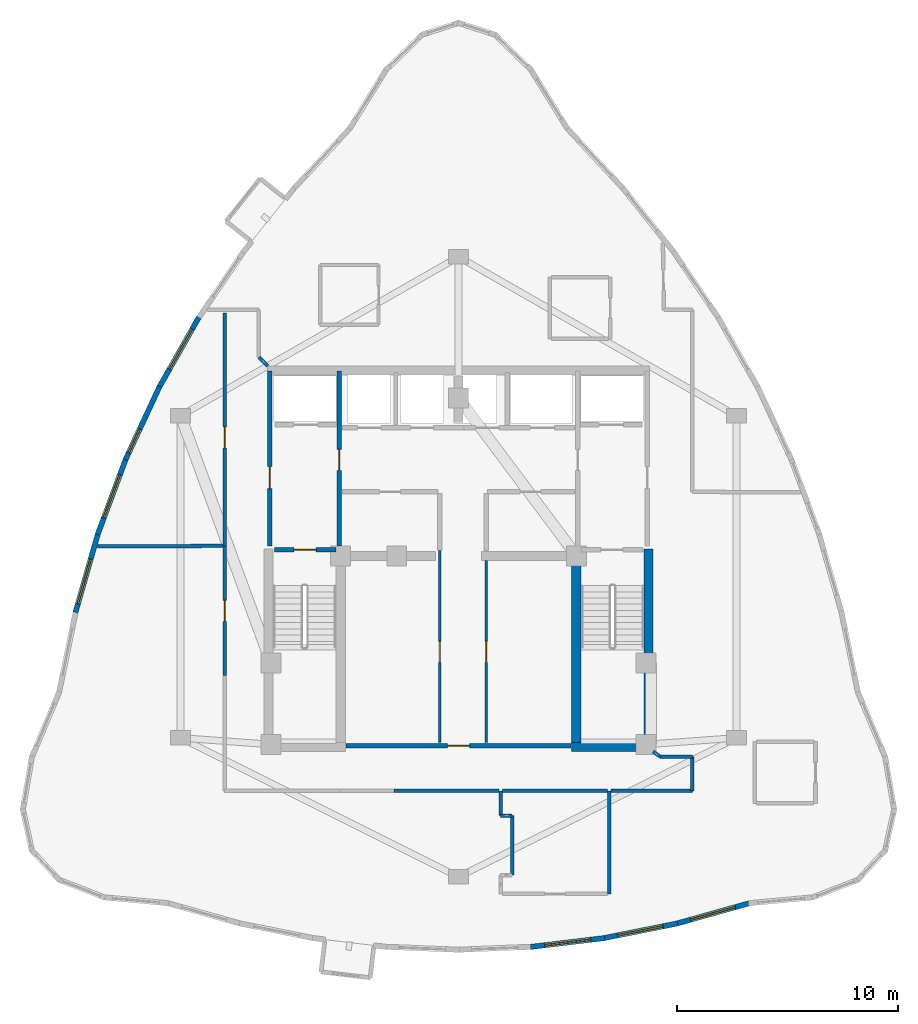
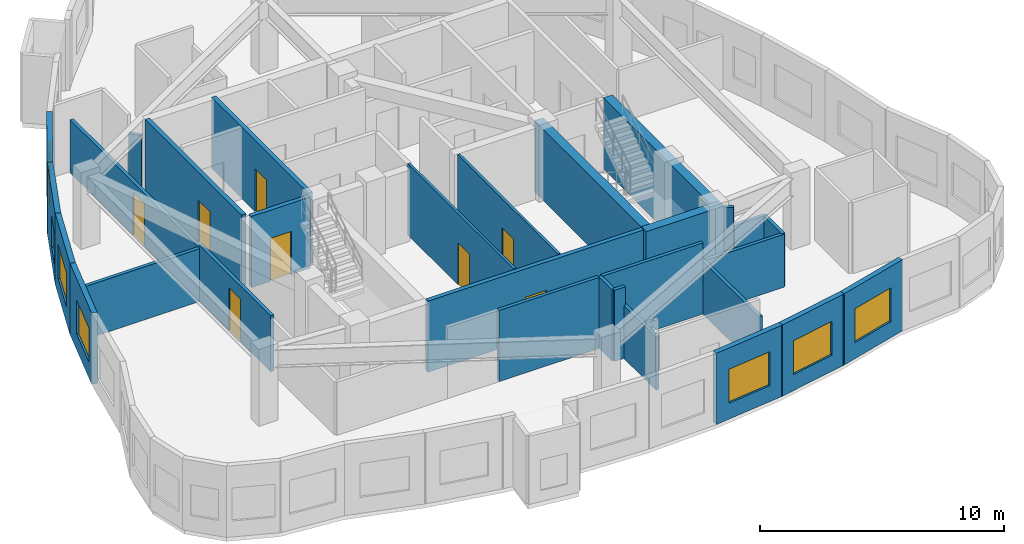
# One storey, part 5 of 9: 30 walls, 8 doors, 7 windows, 15 openings.
"""IFC4 building model written with IfcOpenShell, lengths in metres."""

import ifcopenshell
import ifcopenshell.guid

model = None  # the IFC model being written
_history = None  # IfcOwnerHistory: only IFC2X3 demands one
_inside = {}  # id of a spatial element -> (the spatial element, [elements in it])
_under = {}  # id of a project, library or spatial element -> (it, [spatial elements below it])
_declared = {}  # id of a project -> (the project, [libraries it declares])
_typed = {}  # id of a type object -> (the type object, [elements of that type])
_made_of = {}  # id of a material, layer set ... -> (it, [elements and type objects made of it])


def new_model(schema):
    """Start an empty IFC model of exactly this schema.

    Asked for "IFC4X3", IfcOpenShell would pick the latest addendum, in which some entities
    have other attributes; the version numbers below select the first issue.
    IFC2X3 requires an IfcOwnerHistory on every rooted entity: one is made here for all.
    """
    global model, _history
    if schema == "IFC4X3":
        model = ifcopenshell.file(schema_version=(4, 3, 0, 0))
    else:
        model = ifcopenshell.file(schema=schema)
    _inside.clear()
    _under.clear()
    _declared.clear()
    _typed.clear()
    _made_of.clear()
    _history = None
    if model.schema == "IFC2X3":
        org = make("IfcOrganization", Name="unknown")
        user = make(
            "IfcPersonAndOrganization",
            ThePerson=make("IfcPerson", FamilyName="unknown"),
            TheOrganization=org,
        )
        app = make(
            "IfcApplication",
            ApplicationDeveloper=org,
            Version="unknown",
            ApplicationFullName="unknown",
            ApplicationIdentifier="unknown",
        )
        _history = make(
            "IfcOwnerHistory",
            OwningUser=user,
            OwningApplication=app,
            ChangeAction="ADDED",
            CreationDate=0,
        )
    return model


def make(cls, **values):
    """One entity of the class cls with the attributes given. An attribute that is None is left unset."""
    return model.create_entity(
        cls, **{name: value for name, value in values.items() if value is not None}
    )


def rooted(cls, **values):
    """An entity with a GlobalId (a new one), such as an element, a storey or a relation."""
    return make(cls, GlobalId=ifcopenshell.guid.new(), OwnerHistory=_history, **values)


def si_unit(unit_type, name, prefix=None):
    """IfcSIUnit, for example si_unit("LENGTHUNIT", "METRE", prefix="MILLI")."""
    return make("IfcSIUnit", UnitType=unit_type, Prefix=prefix, Name=name)


def assignment(units):
    """IfcUnitAssignment: the units of a project."""
    return None if units is None else make("IfcUnitAssignment", Units=units)


def point(xyz):
    """IfcCartesianPoint."""
    return None if xyz is None else make("IfcCartesianPoint", Coordinates=xyz)


def direction(xyz):
    """IfcDirection."""
    return None if xyz is None else make("IfcDirection", DirectionRatios=xyz)


def frame(location, z_axis=None, x_axis=None):
    """IfcAxis2Placement3D, a coordinate frame: its origin and axes. An axis left out is left unset."""
    return make(
        "IfcAxis2Placement3D",
        Location=point(location),
        Axis=direction(z_axis),
        RefDirection=direction(x_axis),
    )


def frame_2d(location, x_axis=None):
    """IfcAxis2Placement2D, a coordinate frame in the plane: its origin and x axis."""
    return make(
        "IfcAxis2Placement2D", Location=point(location), RefDirection=direction(x_axis)
    )


def origin():
    """The frame at (0, 0, 0) with its axes left unset."""
    return frame((0.0, 0.0, 0.0))


def place(relative_to, where):
    """IfcLocalPlacement: puts the frame where relative to a parent placement (None: the world)."""
    return make(
        "IfcLocalPlacement", PlacementRelTo=relative_to, RelativePlacement=where
    )


def context(
    kind, dimensions, precision=None, world=None, true_north=None, identifier=None
):
    """IfcGeometricRepresentationContext, for example the 3D "Model" context."""
    return make(
        "IfcGeometricRepresentationContext",
        ContextIdentifier=identifier,
        ContextType=kind,
        CoordinateSpaceDimension=dimensions,
        Precision=precision,
        WorldCoordinateSystem=world,
        TrueNorth=true_north,
    )


def subcontext(parent, identifier, kind, view, scale=None):
    """IfcGeometricRepresentationSubContext, for example "Body" below "Model"."""
    return make(
        "IfcGeometricRepresentationSubContext",
        ContextIdentifier=identifier,
        ContextType=kind,
        ParentContext=parent,
        TargetScale=scale,
        TargetView=view,
    )


def project(units=None, contexts=None):
    """IfcProject with its units and contexts."""
    return rooted(
        "IfcProject",
        Name="project",
        RepresentationContexts=contexts,
        UnitsInContext=assignment(units),
    )


def spatial(cls, under=None, at=None, **own):
    """A site, building, storey or space (cls), placed at a placement, below another one or the project."""
    s = rooted(cls, ObjectPlacement=at, **own)
    if under is not None:
        _under.setdefault(under.id(), (under, []))[1].append(s)
    return s


def profile(cls, at=None, kind="AREA", **sizes):
    """A parametric profile (cls). Its sizes go by their IFC names, for example OverallWidth=200.0."""
    return make(cls, ProfileType=kind, Position=at, **sizes)


def rectangle(**sizes):
    """IfcRectangleProfileDef."""
    return profile("IfcRectangleProfileDef", **sizes)


def extrude(swept, where, along, depth):
    """IfcExtrudedAreaSolid: the profile swept, set in the frame where, extruded along a direction by depth."""
    return make(
        "IfcExtrudedAreaSolid",
        SweptArea=swept,
        Position=where,
        ExtrudedDirection=direction(along),
        Depth=depth,
    )


def shape(context_of_items, identifier, shape_type, items):
    """IfcShapeRepresentation: the items that make up one representation, for example the "Body"."""
    return make(
        "IfcShapeRepresentation",
        ContextOfItems=context_of_items,
        RepresentationIdentifier=identifier,
        RepresentationType=shape_type,
        Items=items,
    )


def material(Name=None, Category=None):
    """IfcMaterial."""
    return make("IfcMaterial", Name=Name, Category=Category)


def layer(
    of_material, thickness, ventilated=None, Name=None, Category=None, Priority=None
):
    """IfcMaterialLayer: one layer of a wall or slab, of a material (None: an air gap)."""
    return make(
        "IfcMaterialLayer",
        Material=of_material,
        LayerThickness=thickness,
        IsVentilated=ventilated,
        Name=Name,
        Category=Category,
        Priority=Priority,
    )


def layer_set(layers, Name=None):
    """IfcMaterialLayerSet."""
    return make("IfcMaterialLayerSet", MaterialLayers=layers, LayerSetName=Name)


def made_of(thing, what):
    """Note that an element or type object is made of a material, layer set ...; save() writes the relation."""
    if what is not None:
        _made_of.setdefault(what.id(), (what, []))[1].append(thing)
    return thing


def type_object(cls, material=None, **own):
    """A type object (cls), such as IfcWallType, which elements share."""
    return made_of(rooted(cls, **own), material)


def element(
    cls,
    number,
    at=None,
    inside=None,
    cuts=None,
    type_object=None,
    material=None,
    context=None,
    identifier="Body",
    shape_type=None,
    held_by="IfcProductDefinitionShape",
    body=None,
    shapes=None,
    **own,
):
    """One element of the class cls, such as IfcWall. Its Tag is "e" and its number.

    at: its placement. inside: the storey or other place that contains it. cuts: it is an
    opening in that element (IfcRelVoidsElement). A single representation is given by context,
    identifier, shape_type and body (its items); several are given by shapes. held_by: the class
    of the entity that holds the representations. save() writes the other relations.
    """
    e = rooted(cls, Tag="e%d" % number, ObjectPlacement=at, **own)
    if body is not None:
        shapes = [shape(context, identifier, shape_type, body)]
    if shapes is not None:
        e.Representation = make(held_by, Representations=shapes)
    if inside is not None:
        _inside.setdefault(inside.id(), (inside, []))[1].append(e)
    if cuts is not None:
        rooted(
            "IfcRelVoidsElement", RelatingBuildingElement=cuts, RelatedOpeningElement=e
        )
    if type_object is not None:
        _typed.setdefault(type_object.id(), (type_object, []))[1].append(e)
    return made_of(e, material)


def fill(opening, filler):
    """IfcRelFillsElement: the door or window that sits in an opening."""
    return rooted(
        "IfcRelFillsElement",
        RelatingOpeningElement=opening,
        RelatedBuildingElement=filler,
    )


def aggregate(whole, parts):
    """IfcRelAggregates: a whole, such as a stair, and the parts it consists of."""
    return rooted("IfcRelAggregates", RelatingObject=whole, RelatedObjects=parts)


def save(model, path):
    """Write the relations noted so far, then the file.

    IfcRelAggregates (storeys below a building ...), IfcRelContainedInSpatialStructure (elements
    in a storey), IfcRelDefinesByType, IfcRelAssociatesMaterial and IfcRelDeclares: one each for
    every whole, place, type object, material and project.
    """
    for whole, parts in _under.values():
        aggregate(whole, parts)
    for where, things in _inside.values():
        rooted(
            "IfcRelContainedInSpatialStructure",
            RelatedElements=things,
            RelatingStructure=where,
        )
    for kind, things in _typed.values():
        rooted("IfcRelDefinesByType", RelatedObjects=things, RelatingType=kind)
    for what, things in _made_of.values():
        rooted("IfcRelAssociatesMaterial", RelatedObjects=things, RelatingMaterial=what)
    for by, libraries in _declared.values():
        rooted("IfcRelDeclares", RelatingContext=by, RelatedDefinitions=libraries)
    model.write(path)


model = new_model("IFC4")

# Units and contexts
model_context = context("Model", 3, precision=1e-05, world=origin(), true_north=direction((0.0, 1.0)))
body_context = subcontext(model_context, "Body", "Model", "MODEL_VIEW")
ifc_project = project(units=[si_unit("LENGTHUNIT", "METRE"), si_unit("AREAUNIT", "SQUARE_METRE"), si_unit("VOLUMEUNIT", "CUBIC_METRE"), si_unit("PLANEANGLEUNIT", "RADIAN"), si_unit("MASSUNIT", "GRAM", prefix="KILO")], contexts=[model_context])

# Site, building, storey
site_placement = place(None, origin())
site = spatial("IfcSite", under=ifc_project, at=site_placement, CompositionType="ELEMENT")
building_placement = place(site_placement, origin())
building = spatial("IfcBuilding", under=site, at=building_placement, Name="Miruveldt Soraemaru", CompositionType="ELEMENT")
storey_placement = place(building_placement, frame((0.0, 0.0, 275.10009765625)))
storey = spatial("IfcBuildingStorey", under=building, at=storey_placement, Name="L75", CompositionType="ELEMENT", Elevation=275.10009765625)

# Walls
ifc_material_1 = material(Name="Concrete C50/60 (50 MPa)", Category="concrete")
ifc_layer_1 = layer(ifc_material_1, 0.419921875, Name="Concrete C50/60 (50 MPa)", Category="concrete")
ifc_layer_set_1 = layer_set([ifc_layer_1], Name="Concrete C50/60 (50 MPa)")
wall_type_1 = type_object("IfcWallType", Name="WALL-CW-420", PredefinedType="SHEAR", material=ifc_layer_set_1)
wall_1_placement = place(storey_placement, frame((49.1298828125, 35.389892578125, 0.0), z_axis=(0.0, 0.0, 1.0), x_axis=(1.0, 0.0, 0.0)))
element("IfcWall", 1, at=wall_1_placement, inside=storey, type_object=wall_type_1, Name="L75 Central Core Shear Wall S2", PredefinedType="SHEAR", context=body_context, shape_type="SweptSolid", body=[
    extrude(rectangle(XDim=3.690185546875, YDim=0.419921875, at=frame_2d((1.84521484375, 0.0))), origin(), (0.0, 0.0, 1.0), 3.56494140625),
])
wall_2_placement = place(storey_placement, frame((52.610107421875, 35.179931640625, 0.0), z_axis=(0.0, 0.0, 1.0), x_axis=(0.0, 1.0, 0.0)))
element("IfcWall", 2, at=wall_2_placement, inside=storey, type_object=wall_type_1, Name="L75 Central Core Shear Wall E1", PredefinedType="SHEAR", context=body_context, shape_type="SweptSolid", body=[
    extrude(rectangle(XDim=9.170166015625, YDim=0.419921875, at=frame_2d((4.5849609375, 0.0))), origin(), (0.0, 0.0, 1.0), 3.56494140625),
])
wall_3_placement = place(storey_placement, frame((49.340087890625, 35.39990234375, 0.0), z_axis=(0.0, 0.0, 1.0), x_axis=(0.0, 1.0, 0.0)))
element("IfcWall", 3, at=wall_3_placement, inside=storey, type_object=wall_type_1, Name="L75 Central Core Shear Wall SE-INT", PredefinedType="SHEAR", context=body_context, shape_type="SweptSolid", body=[
    extrude(rectangle(XDim=8.9501953125, YDim=0.419921875, at=frame_2d((4.47509765625, 0.0))), origin(), (0.0, 0.0, 1.0), 3.56494140625),
])

# Wall, opening, window
ifc_material_2 = material(Name="Precast concrete C45/55 (45 MPa)", Category="concrete")
ifc_layer_2 = layer(ifc_material_2, 0.239990234375, Name="Precast concrete C45/55 (45 MPa)", Category="concrete")
ifc_layer_set_2 = layer_set([ifc_layer_2], Name="Precast concrete C45/55 (45 MPa)")
wall_type_2 = type_object("IfcWallType", Name="WALL-EXT-PC240", PredefinedType="SOLIDWALL", material=ifc_layer_set_2)
wall_4_placement = place(storey_placement, frame((32.22900390625, 54.86328125, 0.0), z_axis=(0.0, 0.0, 1.0), x_axis=(-0.493370164744, -0.869819452841, 0.0)))
wall_4 = element("IfcWall", 4, at=wall_4_placement, inside=storey, type_object=wall_type_2, Name="L75 Precast Concrete Facade Wall 10", PredefinedType="SOLIDWALL", context=body_context, shape_type="SweptSolid", body=[
    extrude(rectangle(XDim=3.668701171875, YDim=0.239990234375, at=frame_2d((1.83447265625, 0.0))), origin(), (0.0, 0.0, 1.0), 3.56494140625),
])
opening_1_placement = place(wall_4_placement, frame((0.611083984375, 0.0, 0.800048828125)))
opening_1 = element("IfcOpeningElement", 5, at=opening_1_placement, cuts=wall_4, Name="Opening WN-1", PredefinedType="OPENING", context=body_context, shape_type="SweptSolid", body=[
    extrude(rectangle(XDim=2.10009765625, YDim=1.699951171875, at=frame_2d((1.050048828125, 0.85009765625))), frame((0.0, 0.1298828125, 0.0), z_axis=(0.0, -1.0, 0.0), x_axis=(1.0, 0.0, 0.0)), (0.0, 0.0, 1.0), 0.260009765625),
])
ifc_material_3 = material(Name="Triple low-e insulated glazing", Category="glass")
window_type_1 = type_object("IfcWindowType", Name="WIN-PUNCH-2100x1700", PartitioningType="SINGLE_PANEL", PredefinedType="WINDOW", material=ifc_material_3)
window_1_placement = place(opening_1_placement, origin())
window_1 = element("IfcWindow", 6, at=window_1_placement, inside=storey, type_object=window_type_1, Name="L75 Punched Triple-Glazed Window 10.1", OverallHeight=1.699951171875, OverallWidth=2.10009765625, PartitioningType="SINGLE_PANEL", PredefinedType="WINDOW", context=body_context, shape_type="SweptSolid", body=[
    extrude(rectangle(XDim=2.10009765625, YDim=1.699951171875, at=frame_2d((1.050048828125, 0.85009765625))), frame((0.0, 0.030029296875, 0.0), z_axis=(0.0, -1.0, 0.0), x_axis=(1.0, 0.0, 0.0)), (0.0, 0.0, 1.0), 0.06005859375),
])
fill(opening_1, window_1)

wall_5_placement = place(storey_placement, frame((30.450927734375, 51.734130859375, 0.0), z_axis=(0.0, 0.0, 1.0), x_axis=(-0.422313408589, -0.906449879986, 0.0)))
wall_5 = element("IfcWall", 7, at=wall_5_placement, inside=storey, type_object=wall_type_2, Name="L75 Precast Concrete Facade Wall 11", PredefinedType="SOLIDWALL", context=body_context, shape_type="SweptSolid", body=[
    extrude(rectangle(XDim=3.668701171875, YDim=0.239990234375, at=frame_2d((1.83447265625, 0.0))), origin(), (0.0, 0.0, 1.0), 3.56494140625),
])
opening_2_placement = place(wall_5_placement, frame((2.1240234375, 0.0, 0.780029296875)))
opening_2 = element("IfcOpeningElement", 8, at=opening_2_placement, cuts=wall_5, Name="Opening WN-4", PredefinedType="OPENING", context=body_context, shape_type="SweptSolid", body=[
    extrude(rectangle(XDim=1.199951171875, YDim=1.550048828125, at=frame_2d((0.60009765625, 0.77490234375))), frame((0.0, 0.1298828125, 0.0), z_axis=(0.0, -1.0, 0.0), x_axis=(1.0, 0.0, 0.0)), (0.0, 0.0, 1.0), 0.260009765625),
])
window_type_2 = type_object("IfcWindowType", Name="WIN-PUNCH-1200x1550", PartitioningType="SINGLE_PANEL", PredefinedType="WINDOW", material=ifc_material_3)
window_2_placement = place(opening_2_placement, origin())
window_2 = element("IfcWindow", 9, at=window_2_placement, inside=storey, type_object=window_type_2, Name="L75 Punched Triple-Glazed Window 11.1", OverallHeight=1.550048828125, OverallWidth=1.199951171875, PartitioningType="SINGLE_PANEL", PredefinedType="WINDOW", context=body_context, shape_type="SweptSolid", body=[
    extrude(rectangle(XDim=1.199951171875, YDim=1.550048828125, at=frame_2d((0.60009765625, 0.77490234375))), frame((0.0, 0.030029296875, 0.0), z_axis=(0.0, -1.0, 0.0), x_axis=(1.0, 0.0, 0.0)), (0.0, 0.0, 1.0), 0.06005859375),
])
fill(opening_2, window_2)

wall_6_placement = place(storey_placement, frame((28.9287109375, 48.47314453125, 0.0), z_axis=(0.0, 0.0, 1.0), x_axis=(-0.349028180334, -0.937112228782, 0.0)))
wall_6 = element("IfcWall", 10, at=wall_6_placement, inside=storey, type_object=wall_type_2, Name="L75 Precast Concrete Facade Wall 12", PredefinedType="SOLIDWALL", context=body_context, shape_type="SweptSolid", body=[
    extrude(rectangle(XDim=3.69189453125, YDim=0.239990234375, at=frame_2d((1.845947265625, 0.0))), origin(), (0.0, 0.0, 1.0), 3.56494140625),
])
opening_3_placement = place(wall_6_placement, frame((0.7958984375, 0.0, 0.800048828125)))
opening_3 = element("IfcOpeningElement", 11, at=opening_3_placement, cuts=wall_6, Name="Opening WN-1", PredefinedType="OPENING", context=body_context, shape_type="SweptSolid", body=[
    extrude(rectangle(XDim=2.10009765625, YDim=1.699951171875, at=frame_2d((1.050048828125, 0.85009765625))), frame((0.0, 0.1298828125, 0.0), z_axis=(0.0, -1.0, 0.0), x_axis=(1.0, 0.0, 0.0)), (0.0, 0.0, 1.0), 0.260009765625),
])
window_3_placement = place(opening_3_placement, origin())
window_3 = element("IfcWindow", 12, at=window_3_placement, inside=storey, type_object=window_type_1, Name="L75 Punched Triple-Glazed Window 12.1", OverallHeight=1.699951171875, OverallWidth=2.10009765625, PartitioningType="SINGLE_PANEL", PredefinedType="WINDOW", context=body_context, shape_type="SweptSolid", body=[
    extrude(rectangle(XDim=2.10009765625, YDim=1.699951171875, at=frame_2d((1.050048828125, 0.85009765625))), frame((0.0, 0.030029296875, 0.0), z_axis=(0.0, -1.0, 0.0), x_axis=(1.0, 0.0, 0.0)), (0.0, 0.0, 1.0), 0.06005859375),
])
fill(opening_3, window_3)

wall_7_placement = place(storey_placement, frame((27.661865234375, 45.080078125, 0.0), z_axis=(0.0, 0.0, 1.0), x_axis=(-0.274954072222, -0.961457361597, 0.0)))
wall_7 = element("IfcWall", 13, at=wall_7_placement, inside=storey, type_object=wall_type_2, Name="L75 Precast Concrete Facade Wall 13", PredefinedType="SOLIDWALL", context=body_context, shape_type="SweptSolid", body=[
    extrude(rectangle(XDim=3.7373046875, YDim=0.239990234375, at=frame_2d((1.86865234375, 0.0))), origin(), (0.0, 0.0, 1.0), 3.56494140625),
])
opening_4_placement = place(wall_7_placement, frame((1.22802734375, 0.0, 0.800048828125)))
opening_4 = element("IfcOpeningElement", 14, at=opening_4_placement, cuts=wall_7, Name="Opening WN-1", PredefinedType="OPENING", context=body_context, shape_type="SweptSolid", body=[
    extrude(rectangle(XDim=2.10009765625, YDim=1.699951171875, at=frame_2d((1.050048828125, 0.85009765625))), frame((0.0, 0.1298828125, 0.0), z_axis=(0.0, -1.0, 0.0), x_axis=(1.0, 0.0, 0.0)), (0.0, 0.0, 1.0), 0.260009765625),
])
window_4_placement = place(opening_4_placement, origin())
window_4 = element("IfcWindow", 15, at=window_4_placement, inside=storey, type_object=window_type_1, Name="L75 Punched Triple-Glazed Window 13.1", OverallHeight=1.699951171875, OverallWidth=2.10009765625, PartitioningType="SINGLE_PANEL", PredefinedType="WINDOW", context=body_context, shape_type="SweptSolid", body=[
    extrude(rectangle(XDim=2.10009765625, YDim=1.699951171875, at=frame_2d((1.050048828125, 0.85009765625))), frame((0.0, 0.030029296875, 0.0), z_axis=(0.0, -1.0, 0.0), x_axis=(1.0, 0.0, 0.0)), (0.0, 0.0, 1.0), 0.06005859375),
])
fill(opening_4, window_4)

wall_8_placement = place(storey_placement, frame((47.260498046875, 26.322509765625, 0.0), z_axis=(0.0, 0.0, 1.0), x_axis=(0.992876497617, 0.119148061167, 0.0)))
wall_8 = element("IfcWall", 16, at=wall_8_placement, inside=storey, type_object=wall_type_2, Name="L75 Precast Concrete Facade Wall 26", PredefinedType="SOLIDWALL", context=body_context, shape_type="SweptSolid", body=[
    extrude(rectangle(XDim=3.38916015625, YDim=0.239990234375, at=frame_2d((1.694580078125, 0.0))), origin(), (0.0, 0.0, 1.0), 3.56494140625),
])
opening_5_placement = place(wall_8_placement, frame((0.64501953125, 0.0, 0.800048828125)))
opening_5 = element("IfcOpeningElement", 17, at=opening_5_placement, cuts=wall_8, Name="Opening WN-1", PredefinedType="OPENING", context=body_context, shape_type="SweptSolid", body=[
    extrude(rectangle(XDim=2.10009765625, YDim=1.699951171875, at=frame_2d((1.050048828125, 0.85009765625))), frame((0.0, 0.1298828125, 0.0), z_axis=(0.0, -1.0, 0.0), x_axis=(1.0, 0.0, 0.0)), (0.0, 0.0, 1.0), 0.260009765625),
])
window_5_placement = place(opening_5_placement, origin())
window_5 = element("IfcWindow", 18, at=window_5_placement, inside=storey, type_object=window_type_1, Name="L75 Punched Triple-Glazed Window 26.1", OverallHeight=1.699951171875, OverallWidth=2.10009765625, PartitioningType="SINGLE_PANEL", PredefinedType="WINDOW", context=body_context, shape_type="SweptSolid", body=[
    extrude(rectangle(XDim=2.10009765625, YDim=1.699951171875, at=frame_2d((1.050048828125, 0.85009765625))), frame((0.0, 0.030029296875, 0.0), z_axis=(0.0, -1.0, 0.0), x_axis=(1.0, 0.0, 0.0)), (0.0, 0.0, 1.0), 0.06005859375),
])
fill(opening_5, window_5)

wall_9_placement = place(storey_placement, frame((50.556396484375, 26.71533203125, 0.0), z_axis=(0.0, 0.0, 1.0), x_axis=(0.980577938493, 0.196129820632, 0.0)))
wall_9 = element("IfcWall", 19, at=wall_9_placement, inside=storey, type_object=wall_type_2, Name="L75 Precast Concrete Facade Wall 27", PredefinedType="SOLIDWALL", context=body_context, shape_type="SweptSolid", body=[
    extrude(rectangle(XDim=3.4306640625, YDim=0.239990234375, at=frame_2d((1.71533203125, 0.0))), origin(), (0.0, 0.0, 1.0), 3.56494140625),
])
opening_6_placement = place(wall_9_placement, frame((0.6650390625, 0.0, 0.800048828125)))
opening_6 = element("IfcOpeningElement", 20, at=opening_6_placement, cuts=wall_9, Name="Opening WN-1", PredefinedType="OPENING", context=body_context, shape_type="SweptSolid", body=[
    extrude(rectangle(XDim=2.10009765625, YDim=1.699951171875, at=frame_2d((1.050048828125, 0.85009765625))), frame((0.0, 0.1298828125, 0.0), z_axis=(0.0, -1.0, 0.0), x_axis=(1.0, 0.0, 0.0)), (0.0, 0.0, 1.0), 0.260009765625),
])
window_6_placement = place(opening_6_placement, origin())
window_6 = element("IfcWindow", 21, at=window_6_placement, inside=storey, type_object=window_type_1, Name="L75 Punched Triple-Glazed Window 27.1", OverallHeight=1.699951171875, OverallWidth=2.10009765625, PartitioningType="SINGLE_PANEL", PredefinedType="WINDOW", context=body_context, shape_type="SweptSolid", body=[
    extrude(rectangle(XDim=2.10009765625, YDim=1.699951171875, at=frame_2d((1.050048828125, 0.85009765625))), frame((0.0, 0.030029296875, 0.0), z_axis=(0.0, -1.0, 0.0), x_axis=(1.0, 0.0, 0.0)), (0.0, 0.0, 1.0), 0.06005859375),
])
fill(opening_6, window_6)

wall_10_placement = place(storey_placement, frame((53.852294921875, 27.371826171875, 0.0), z_axis=(0.0, 0.0, 1.0), x_axis=(0.962958936967, 0.269648077529, 0.0)))
wall_10 = element("IfcWall", 22, at=wall_10_placement, inside=storey, type_object=wall_type_2, Name="L75 Precast Concrete Facade Wall 28", PredefinedType="SOLIDWALL", context=body_context, shape_type="SweptSolid", body=[
    extrude(rectangle(XDim=3.4921875, YDim=0.239990234375, at=frame_2d((1.74609375, 0.0))), origin(), (0.0, 0.0, 1.0), 3.56494140625),
])
opening_7_placement = place(wall_10_placement, frame((0.696044921875, 0.0, 0.800048828125)))
opening_7 = element("IfcOpeningElement", 23, at=opening_7_placement, cuts=wall_10, Name="Opening WN-1", PredefinedType="OPENING", context=body_context, shape_type="SweptSolid", body=[
    extrude(rectangle(XDim=2.10009765625, YDim=1.699951171875, at=frame_2d((1.050048828125, 0.85009765625))), frame((0.0, 0.1298828125, 0.0), z_axis=(0.0, -1.0, 0.0), x_axis=(1.0, 0.0, 0.0)), (0.0, 0.0, 1.0), 0.260009765625),
])
window_7_placement = place(opening_7_placement, origin())
window_7 = element("IfcWindow", 24, at=window_7_placement, inside=storey, type_object=window_type_1, Name="L75 Punched Triple-Glazed Window 28.1", OverallHeight=1.699951171875, OverallWidth=2.10009765625, PartitioningType="SINGLE_PANEL", PredefinedType="WINDOW", context=body_context, shape_type="SweptSolid", body=[
    extrude(rectangle(XDim=2.10009765625, YDim=1.699951171875, at=frame_2d((1.050048828125, 0.85009765625))), frame((0.0, 0.030029296875, 0.0), z_axis=(0.0, -1.0, 0.0), x_axis=(1.0, 0.0, 0.0)), (0.0, 0.0, 1.0), 0.06005859375),
])
fill(opening_7, window_7)

# Wall, opening, door
ifc_material_4 = material(Name="Gypsum plasterboard lining", Category="gypsum")
ifc_layer_3 = layer(ifc_material_4, 0.1201171875, Name="Gypsum plasterboard lining", Category="gypsum")
ifc_layer_set_3 = layer_set([ifc_layer_3], Name="Gypsum plasterboard lining")
wall_type_3 = type_object("IfcWallType", Name="WALL-INT-P120", PredefinedType="PARTITIONING", material=ifc_layer_set_3)
wall_11_placement = place(storey_placement, frame((43.14990234375, 35.60009765625, 0.0), z_axis=(0.0, 0.0, 1.0), x_axis=(0.0, 1.0, 0.0)))
wall_11 = element("IfcWall", 25, at=wall_11_placement, inside=storey, type_object=wall_type_3, Name="L75 Core Compartment Wall SP-WL", PredefinedType="PARTITIONING", context=body_context, shape_type="SweptSolid", body=[
    extrude(rectangle(XDim=8.699951171875, YDim=0.1201171875, at=frame_2d((4.35009765625, 0.0))), origin(), (0.0, 0.0, 1.0), 3.56494140625),
])
opening_8_placement = place(wall_11_placement, frame((3.625, 0.0, 0.0)))
opening_8 = element("IfcOpeningElement", 26, at=opening_8_placement, cuts=wall_11, Name="Opening D2", PredefinedType="OPENING", context=body_context, shape_type="SweptSolid", body=[
    extrude(rectangle(XDim=0.949951171875, YDim=2.10009765625, at=frame_2d((0.47509765625, 1.050048828125))), frame((0.0, 0.070068359375, 0.0), z_axis=(0.0, -1.0, 0.0), x_axis=(1.0, 0.0, 0.0)), (0.0, 0.0, 1.0), 0.14013671875),
])
ifc_material_5 = material(Name="Anodised aluminium EN AW-6063 T6", Category="aluminium")
door_type_1 = type_object("IfcDoorType", Name="DOOR-INT-950", OperationType="NOTDEFINED", PredefinedType="DOOR", material=ifc_material_5)
door_1_placement = place(opening_8_placement, origin())
door_1 = element("IfcDoor", 27, at=door_1_placement, inside=storey, type_object=door_type_1, Name="L75 Fire Door", OperationType="SINGLE_SWING_LEFT", OverallHeight=2.10009765625, OverallWidth=0.949951171875, PredefinedType="DOOR", context=body_context, shape_type="SweptSolid", body=[
    extrude(rectangle(XDim=0.949951171875, YDim=2.10009765625, at=frame_2d((0.47509765625, 1.050048828125))), frame((0.0, 0.02490234375, 0.0), z_axis=(0.0, -1.0, 0.0), x_axis=(1.0, 0.0, 0.0)), (0.0, 0.0, 1.0), 0.050048828125),
])
fill(opening_8, door_1)

wall_12_placement = place(storey_placement, frame((45.25, 35.60009765625, 0.0), z_axis=(0.0, 0.0, 1.0), x_axis=(0.0, 1.0, 0.0)))
wall_12 = element("IfcWall", 28, at=wall_12_placement, inside=storey, type_object=wall_type_3, Name="L75 Core Compartment Wall SP-EL", PredefinedType="PARTITIONING", context=body_context, shape_type="SweptSolid", body=[
    extrude(rectangle(XDim=8.25, YDim=0.1201171875, at=frame_2d((4.125, 0.0))), origin(), (0.0, 0.0, 1.0), 3.56494140625),
])
opening_9_placement = place(wall_12_placement, frame((3.625, 0.0, 0.0)))
opening_9 = element("IfcOpeningElement", 29, at=opening_9_placement, cuts=wall_12, Name="Opening D2", PredefinedType="OPENING", context=body_context, shape_type="SweptSolid", body=[
    extrude(rectangle(XDim=0.949951171875, YDim=2.10009765625, at=frame_2d((0.47509765625, 1.050048828125))), frame((0.0, 0.070068359375, 0.0), z_axis=(0.0, -1.0, 0.0), x_axis=(1.0, 0.0, 0.0)), (0.0, 0.0, 1.0), 0.14013671875),
])
door_2_placement = place(opening_9_placement, origin())
door_2 = element("IfcDoor", 30, at=door_2_placement, inside=storey, type_object=door_type_1, Name="L75 Fire Door", OperationType="SINGLE_SWING_LEFT", OverallHeight=2.10009765625, OverallWidth=0.949951171875, PredefinedType="DOOR", context=body_context, shape_type="SweptSolid", body=[
    extrude(rectangle(XDim=0.949951171875, YDim=2.10009765625, at=frame_2d((0.47509765625, 1.050048828125))), frame((0.0, 0.02490234375, 0.0), z_axis=(0.0, -1.0, 0.0), x_axis=(1.0, 0.0, 0.0)), (0.0, 0.0, 1.0), 0.050048828125),
])
fill(opening_9, door_2)

ifc_material_6 = material(Name="Concrete C40/50 (40 MPa)", Category="concrete")
ifc_layer_4 = layer(ifc_material_6, 0.159912109375, Name="Concrete C40/50 (40 MPa)", Category="concrete")
ifc_layer_set_4 = layer_set([ifc_layer_4], Name="Concrete C40/50 (40 MPa)")
wall_type_4 = type_object("IfcWallType", Name="WALL-INT-RC160", PredefinedType="SOLIDWALL", material=ifc_layer_set_4)
wall_13_placement = place(storey_placement, frame((33.39990234375, 55.06005859375, 0.0), z_axis=(0.0, 0.0, 1.0), x_axis=(0.0, -1.0, 0.0)))
wall_13 = element("IfcWall", 31, at=wall_13_placement, inside=storey, type_object=wall_type_4, Name="L75 Partition Wall 3", PredefinedType="SOLIDWALL", context=body_context, shape_type="SweptSolid", body=[
    extrude(rectangle(XDim=10.55712890625, YDim=0.159912109375, at=frame_2d((5.278564453125, 0.0))), origin(), (0.0, 0.0, 1.0), 2.65283203125),
])
opening_10_placement = place(wall_13_placement, frame((5.1640625, 0.0, 0.0)))
opening_10 = element("IfcOpeningElement", 32, at=opening_10_placement, cuts=wall_13, Name="Opening FD2", PredefinedType="OPENING", context=body_context, shape_type="SweptSolid", body=[
    extrude(rectangle(XDim=0.949951171875, YDim=2.14990234375, at=frame_2d((0.47509765625, 1.074951171875))), frame((0.0, 0.08984375, 0.0), z_axis=(0.0, -1.0, 0.0), x_axis=(1.0, 0.0, 0.0)), (0.0, 0.0, 1.0), 0.179931640625),
])
door_type_2 = type_object("IfcDoorType", Name="DOOR-FD2-950", OperationType="NOTDEFINED", PredefinedType="DOOR", material=ifc_material_5)
door_3_placement = place(opening_10_placement, origin())
door_3 = element("IfcDoor", 33, at=door_3_placement, inside=storey, type_object=door_type_2, Name="L75 Unit CL01 Entrance Fire Door", OperationType="SINGLE_SWING_LEFT", OverallHeight=2.14990234375, OverallWidth=0.949951171875, PredefinedType="DOOR", context=body_context, shape_type="SweptSolid", body=[
    extrude(rectangle(XDim=0.949951171875, YDim=2.14990234375, at=frame_2d((0.47509765625, 1.074951171875))), frame((0.0, 0.02490234375, 0.0), z_axis=(0.0, -1.0, 0.0), x_axis=(1.0, 0.0, 0.0)), (0.0, 0.0, 1.0), 0.050048828125),
])
fill(opening_10, door_3)

wall_14_placement = place(storey_placement, frame((33.39990234375, 44.4951171875, 0.0), z_axis=(0.0, 0.0, 1.0), x_axis=(0.0, -1.0, 0.0)))
wall_14 = element("IfcWall", 34, at=wall_14_placement, inside=storey, type_object=wall_type_4, Name="L75 Partition Wall 4", PredefinedType="SOLIDWALL", context=body_context, shape_type="SweptSolid", body=[
    extrude(rectangle(XDim=5.878173828125, YDim=0.159912109375, at=frame_2d((2.93896484375, 0.0))), origin(), (0.0, 0.0, 1.0), 2.802978515625),
])
opening_11_placement = place(wall_14_placement, frame((2.464111328125, 0.0, 0.0)))
opening_11 = element("IfcOpeningElement", 35, at=opening_11_placement, cuts=wall_14, Name="Opening FD2", PredefinedType="OPENING", context=body_context, shape_type="SweptSolid", body=[
    extrude(rectangle(XDim=0.949951171875, YDim=2.14990234375, at=frame_2d((0.47509765625, 1.074951171875))), frame((0.0, 0.08984375, 0.0), z_axis=(0.0, -1.0, 0.0), x_axis=(1.0, 0.0, 0.0)), (0.0, 0.0, 1.0), 0.179931640625),
])
door_4_placement = place(opening_11_placement, origin())
door_4 = element("IfcDoor", 36, at=door_4_placement, inside=storey, type_object=door_type_2, Name="L75 Unit 7503 Entrance Fire Door", OperationType="SINGLE_SWING_LEFT", OverallHeight=2.14990234375, OverallWidth=0.949951171875, PredefinedType="DOOR", context=body_context, shape_type="SweptSolid", body=[
    extrude(rectangle(XDim=0.949951171875, YDim=2.14990234375, at=frame_2d((0.47509765625, 1.074951171875))), frame((0.0, 0.02490234375, 0.0), z_axis=(0.0, -1.0, 0.0), x_axis=(1.0, 0.0, 0.0)), (0.0, 0.0, 1.0), 0.050048828125),
])
fill(opening_11, door_4)

# Walls
wall_15_placement = place(storey_placement, frame((27.633056640625, 44.486083984375, 0.0), z_axis=(0.0, 0.0, 1.0), x_axis=(0.999997000748, 0.002449182703, 0.0)))
element("IfcWall", 37, at=wall_15_placement, inside=storey, type_object=wall_type_4, Name="L75 Partition Wall 22", PredefinedType="SOLIDWALL", context=body_context, shape_type="SweptSolid", body=[
    extrude(rectangle(XDim=5.681884765625, YDim=0.159912109375, at=frame_2d((2.8408203125, 0.0))), origin(), (0.0, 0.0, 1.0), 2.65283203125),
])
wall_16_placement = place(storey_placement, frame((45.991943359375, 33.39990234375, 0.0), z_axis=(0.0, 0.0, 1.0), x_axis=(1.0, 0.0, 0.0)))
element("IfcWall", 38, at=wall_16_placement, inside=storey, type_object=wall_type_4, Name="L75 Partition Wall 12", PredefinedType="SOLIDWALL", context=body_context, shape_type="SweptSolid", body=[
    extrude(rectangle(XDim=4.751953125, YDim=0.159912109375, at=frame_2d((2.3759765625, 0.0))), origin(), (0.0, 0.0, 1.0), 3.56494140625),
])
wall_17_placement = place(storey_placement, frame((41.0810546875, 33.39990234375, 0.0), z_axis=(0.0, 0.0, 1.0), x_axis=(1.0, 0.0, 0.0)))
element("IfcWall", 39, at=wall_17_placement, inside=storey, type_object=wall_type_4, Name="L75 Partition Wall 8", PredefinedType="SOLIDWALL", context=body_context, shape_type="SweptSolid", body=[
    extrude(rectangle(XDim=4.748046875, YDim=0.159912109375, at=frame_2d((2.3740234375, 0.0))), origin(), (0.0, 0.0, 1.0), 3.56494140625),
])
wall_18_placement = place(storey_placement, frame((50.823974609375, 33.39990234375, 0.0), z_axis=(0.0, 0.0, 1.0), x_axis=(0.0, -1.0, 0.0)))
element("IfcWall", 40, at=wall_18_placement, inside=storey, type_object=wall_type_4, Name="L75 Partition Wall 27", PredefinedType="SOLIDWALL", context=body_context, shape_type="SweptSolid", body=[
    extrude(rectangle(XDim=4.6748046875, YDim=0.159912109375, at=frame_2d((2.33740234375, 0.0))), origin(), (0.0, 0.0, 1.0), 2.65283203125),
])
wall_19_placement = place(storey_placement, frame((50.910888671875, 33.39990234375, 0.0), z_axis=(0.0, 0.0, 1.0), x_axis=(1.0, 0.0, 0.0)))
element("IfcWall", 41, at=wall_19_placement, inside=storey, type_object=wall_type_4, Name="L75 Partition Wall 9", PredefinedType="SOLIDWALL", context=body_context, shape_type="SweptSolid", body=[
    extrude(rectangle(XDim=3.689208984375, YDim=0.159912109375, at=frame_2d((1.8447265625, 0.0))), origin(), (0.0, 0.0, 1.0), 2.65283203125),
])
wall_20_placement = place(storey_placement, frame((46.429931640625, 29.576904296875, 0.0), z_axis=(0.0, 0.0, 1.0), x_axis=(0.0, 1.0, 0.0)))
element("IfcWall", 42, at=wall_20_placement, inside=storey, type_object=wall_type_4, Name="L75 Partition Wall 35", PredefinedType="SOLIDWALL", context=body_context, shape_type="SweptSolid", body=[
    extrude(rectangle(XDim=2.7001953125, YDim=0.159912109375, at=frame_2d((1.35009765625, 0.0))), origin(), (0.0, 0.0, 1.0), 2.65283203125),
])
wall_21_placement = place(storey_placement, frame((54.60009765625, 33.39990234375, 0.0), z_axis=(0.0, 0.0, 1.0), x_axis=(0.0, 1.0, 0.0)))
element("IfcWall", 43, at=wall_21_placement, inside=storey, type_object=wall_type_4, Name="L75 Partition Wall 10", PredefinedType="SOLIDWALL", context=body_context, shape_type="SweptSolid", body=[
    extrude(rectangle(XDim=1.550048828125, YDim=0.159912109375, at=frame_2d((0.77490234375, 0.0))), origin(), (0.0, 0.0, 1.0), 2.65283203125),
])
wall_22_placement = place(storey_placement, frame((54.60009765625, 34.949951171875, 0.0), z_axis=(0.0, 0.0, 1.0), x_axis=(-1.0, 0.0, 0.0)))
element("IfcWall", 44, at=wall_22_placement, inside=storey, type_object=wall_type_4, Name="L75 Partition Wall 11", PredefinedType="SOLIDWALL", context=body_context, shape_type="SweptSolid", body=[
    extrude(rectangle(XDim=1.462158203125, YDim=0.159912109375, at=frame_2d((0.73095703125, 0.0))), origin(), (0.0, 0.0, 1.0), 2.65283203125),
])
wall_23_placement = place(storey_placement, frame((45.912109375, 32.277099609375, 0.0), z_axis=(0.0, 0.0, 1.0), x_axis=(0.0, 1.0, 0.0)))
element("IfcWall", 45, at=wall_23_placement, inside=storey, type_object=wall_type_4, Name="L75 Partition Wall 30", PredefinedType="SOLIDWALL", context=body_context, shape_type="SweptSolid", body=[
    extrude(rectangle(XDim=1.122802734375, YDim=0.159912109375, at=frame_2d((0.5615234375, 0.0))), origin(), (0.0, 0.0, 1.0), 3.56494140625),
])
wall_24_placement = place(storey_placement, frame((34.949951171875, 53.052978515625, 0.0), z_axis=(0.0, 0.0, 1.0), x_axis=(0.713389873957, -0.700767356358, 0.0)))
element("IfcWall", 46, at=wall_24_placement, inside=storey, type_object=wall_type_4, Name="L75 Partition Closure Return 1", PredefinedType="SOLIDWALL", context=body_context, shape_type="SweptSolid", body=[
    extrude(rectangle(XDim=0.560791015625, YDim=0.159912109375, at=frame_2d((0.2802734375, 0.0))), origin(), (0.0, 0.0, 1.0), 2.65283203125),
])
wall_25_placement = place(storey_placement, frame((46.429931640625, 32.277099609375, 0.0), z_axis=(0.0, 0.0, 1.0), x_axis=(-1.0, 0.0, 0.0)))
element("IfcWall", 47, at=wall_25_placement, inside=storey, type_object=wall_type_4, Name="L75 Partition Wall 36", PredefinedType="SOLIDWALL", context=body_context, shape_type="SweptSolid", body=[
    extrude(rectangle(XDim=0.517822265625, YDim=0.159912109375, at=frame_2d((0.2587890625, 0.0))), origin(), (0.0, 0.0, 1.0), 3.56494140625),
])
wall_26_placement = place(storey_placement, frame((53.137939453125, 34.949951171875, 0.0), z_axis=(0.0, 0.0, 1.0), x_axis=(-0.810186684983, 0.586171933375, 0.0)))
element("IfcWall", 48, at=wall_26_placement, inside=storey, type_object=wall_type_4, Name="L75 Partition Closure Return 2", PredefinedType="SOLIDWALL", context=body_context, shape_type="SweptSolid", body=[
    extrude(rectangle(XDim=0.392333984375, YDim=0.159912109375, at=frame_2d((0.1962890625, 0.0))), origin(), (0.0, 0.0, 1.0), 3.56494140625),
])

# Wall, opening, door
ifc_layer_5 = layer(ifc_material_6, 0.199951171875, Name="Concrete C40/50 (40 MPa)", Category="concrete")
ifc_layer_set_5 = layer_set([ifc_layer_5], Name="Concrete C40/50 (40 MPa)")
wall_type_5 = type_object("IfcWallType", Name="WALL-INT-RC200", PredefinedType="SOLIDWALL", material=ifc_layer_set_5)
wall_27_placement = place(storey_placement, frame((38.89990234375, 35.449951171875, 0.0), z_axis=(0.0, 0.0, 1.0), x_axis=(1.0, 0.0, 0.0)))
wall_27 = element("IfcWall", 49, at=wall_27_placement, inside=storey, type_object=wall_type_5, Name="L75 Core Compartment Wall CS-S", PredefinedType="SOLIDWALL", context=body_context, shape_type="SweptSolid", body=[
    extrude(rectangle(XDim=10.2001953125, YDim=0.199951171875, at=frame_2d((5.10009765625, 0.0))), origin(), (0.0, 0.0, 1.0), 3.56494140625),
])
opening_12_placement = place(wall_27_placement, frame((4.60009765625, 0.0, 0.0)))
opening_12 = element("IfcOpeningElement", 50, at=opening_12_placement, cuts=wall_27, Name="Opening FD1", PredefinedType="OPENING", context=body_context, shape_type="SweptSolid", body=[
    extrude(rectangle(XDim=1.0, YDim=2.14990234375, at=frame_2d((0.5, 1.074951171875))), frame((0.0, 0.10986328125, 0.0), z_axis=(0.0, -1.0, 0.0), x_axis=(1.0, 0.0, 0.0)), (0.0, 0.0, 1.0), 0.219970703125),
])
door_type_3 = type_object("IfcDoorType", Name="DOOR-FD1-1000", OperationType="NOTDEFINED", PredefinedType="DOOR", material=ifc_material_5)
door_5_placement = place(opening_12_placement, origin())
door_5 = element("IfcDoor", 51, at=door_5_placement, inside=storey, type_object=door_type_3, Name="L75 Core South Lobby Fire Door", OperationType="SINGLE_SWING_LEFT", OverallHeight=2.14990234375, OverallWidth=1.0, PredefinedType="DOOR", context=body_context, shape_type="SweptSolid", body=[
    extrude(rectangle(XDim=1.0, YDim=2.14990234375, at=frame_2d((0.5, 1.074951171875))), frame((0.0, 0.02490234375, 0.0), z_axis=(0.0, -1.0, 0.0), x_axis=(1.0, 0.0, 0.0)), (0.0, 0.0, 1.0), 0.050048828125),
])
fill(opening_12, door_5)

wall_28_placement = place(storey_placement, frame((35.449951171875, 44.5, 0.0), z_axis=(0.0, 0.0, 1.0), x_axis=(0.0, 1.0, 0.0)))
wall_28 = element("IfcWall", 52, at=wall_28_placement, inside=storey, type_object=wall_type_5, Name="L75 Core Compartment Wall FFW-OUT", PredefinedType="SOLIDWALL", context=body_context, shape_type="SweptSolid", body=[
    extrude(rectangle(XDim=7.919921875, YDim=0.199951171875, at=frame_2d((3.9599609375, 0.0))), origin(), (0.0, 0.0, 1.0), 3.56494140625),
])
opening_13_placement = place(wall_28_placement, frame((2.60009765625, 0.0, 0.0)))
opening_13 = element("IfcOpeningElement", 53, at=opening_13_placement, cuts=wall_28, Name="Opening FD1", PredefinedType="OPENING", context=body_context, shape_type="SweptSolid", body=[
    extrude(rectangle(XDim=1.0, YDim=2.14990234375, at=frame_2d((0.5, 1.074951171875))), frame((0.0, 0.10986328125, 0.0), z_axis=(0.0, -1.0, 0.0), x_axis=(1.0, 0.0, 0.0)), (0.0, 0.0, 1.0), 0.219970703125),
])
door_6_placement = place(opening_13_placement, origin())
door_6 = element("IfcDoor", 54, at=door_6_placement, inside=storey, type_object=door_type_3, Name="L75 West Firefighting Lobby Exit Door", OperationType="SINGLE_SWING_LEFT", OverallHeight=2.14990234375, OverallWidth=1.0, PredefinedType="DOOR", context=body_context, shape_type="SweptSolid", body=[
    extrude(rectangle(XDim=1.0, YDim=2.14990234375, at=frame_2d((0.5, 1.074951171875))), frame((0.0, 0.02490234375, 0.0), z_axis=(0.0, -1.0, 0.0), x_axis=(1.0, 0.0, 0.0)), (0.0, 0.0, 1.0), 0.050048828125),
])
fill(opening_13, door_6)

wall_29_placement = place(storey_placement, frame((38.60009765625, 44.5, 0.0), z_axis=(0.0, 0.0, 1.0), x_axis=(0.0, 1.0, 0.0)))
wall_29 = element("IfcWall", 55, at=wall_29_placement, inside=storey, type_object=wall_type_5, Name="L75 Core Compartment Wall FFW-IN", PredefinedType="SOLIDWALL", context=body_context, shape_type="SweptSolid", body=[
    extrude(rectangle(XDim=7.919921875, YDim=0.199951171875, at=frame_2d((3.9599609375, 0.0))), origin(), (0.0, 0.0, 1.0), 3.56494140625),
])
opening_14_placement = place(wall_29_placement, frame((3.425048828125, 0.0, 0.0)))
opening_14 = element("IfcOpeningElement", 56, at=opening_14_placement, cuts=wall_29, Name="Opening FD2", PredefinedType="OPENING", context=body_context, shape_type="SweptSolid", body=[
    extrude(rectangle(XDim=0.949951171875, YDim=2.14990234375, at=frame_2d((0.47509765625, 1.074951171875))), frame((0.0, 0.10986328125, 0.0), z_axis=(0.0, -1.0, 0.0), x_axis=(1.0, 0.0, 0.0)), (0.0, 0.0, 1.0), 0.219970703125),
])
door_7_placement = place(opening_14_placement, frame((0.949951171875, 0.0, 0.0), z_axis=(0.0, 0.0, 1.0), x_axis=(-1.0, 0.0, 0.0)))
door_7 = element("IfcDoor", 57, at=door_7_placement, inside=storey, type_object=door_type_2, Name="L75 Lift Lobby to West Fire Lobby Door", OperationType="SINGLE_SWING_RIGHT", OverallHeight=2.14990234375, OverallWidth=0.949951171875, PredefinedType="DOOR", context=body_context, shape_type="SweptSolid", body=[
    extrude(rectangle(XDim=0.949951171875, YDim=2.14990234375, at=frame_2d((0.47509765625, 1.074951171875))), frame((0.0, 0.02490234375, 0.0), z_axis=(0.0, -1.0, 0.0), x_axis=(1.0, 0.0, 0.0)), (0.0, 0.0, 1.0), 0.050048828125),
])
fill(opening_14, door_7)

wall_30_placement = place(storey_placement, frame((35.64990234375, 44.320068359375, 0.0), z_axis=(0.0, 0.0, 1.0), x_axis=(1.0, 0.0, 0.0)))
wall_30 = element("IfcWall", 58, at=wall_30_placement, inside=storey, type_object=wall_type_5, Name="L75 Core Compartment Wall ST1-N", PredefinedType="SOLIDWALL", context=body_context, shape_type="SweptSolid", body=[
    extrude(rectangle(XDim=2.800048828125, YDim=0.199951171875, at=frame_2d((1.39990234375, 0.0))), origin(), (0.0, 0.0, 1.0), 3.56494140625),
])
opening_15_placement = place(wall_30_placement, frame((0.89990234375, 0.0, 0.0)))
opening_15 = element("IfcOpeningElement", 59, at=opening_15_placement, cuts=wall_30, Name="Opening FD1", PredefinedType="OPENING", context=body_context, shape_type="SweptSolid", body=[
    extrude(rectangle(XDim=1.0, YDim=2.14990234375, at=frame_2d((0.5, 1.074951171875))), frame((0.0, 0.10986328125, 0.0), z_axis=(0.0, -1.0, 0.0), x_axis=(1.0, 0.0, 0.0)), (0.0, 0.0, 1.0), 0.219970703125),
])
door_8_placement = place(opening_15_placement, frame((1.0, 0.0, 0.0), z_axis=(0.0, 0.0, 1.0), x_axis=(-1.0, 0.0, 0.0)))
door_8 = element("IfcDoor", 60, at=door_8_placement, inside=storey, type_object=door_type_3, Name="L75 Stair ST-1 Fire Door", OperationType="SINGLE_SWING_LEFT", OverallHeight=2.14990234375, OverallWidth=1.0, PredefinedType="DOOR", context=body_context, shape_type="SweptSolid", body=[
    extrude(rectangle(XDim=1.0, YDim=2.14990234375, at=frame_2d((0.5, 1.074951171875))), frame((0.0, 0.02490234375, 0.0), z_axis=(0.0, -1.0, 0.0), x_axis=(1.0, 0.0, 0.0)), (0.0, 0.0, 1.0), 0.050048828125),
])
fill(opening_15, door_8)

save(model, "model.ifc")
